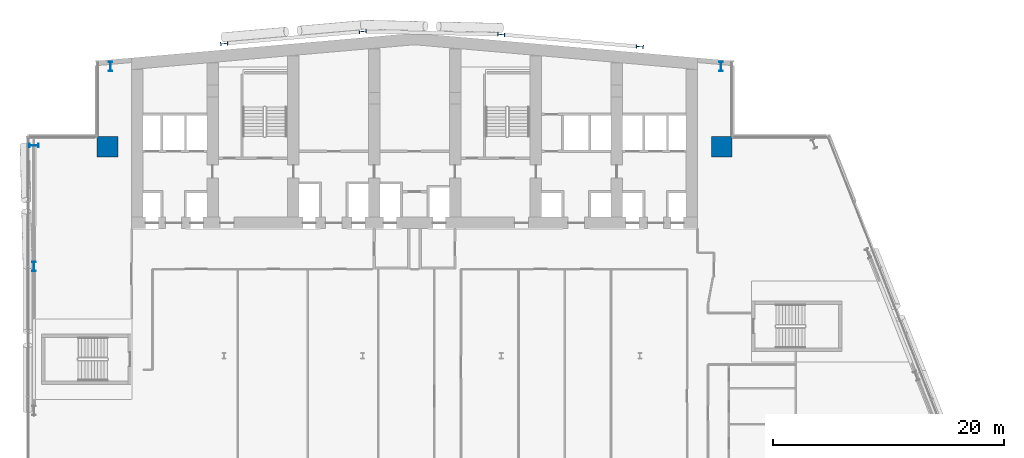
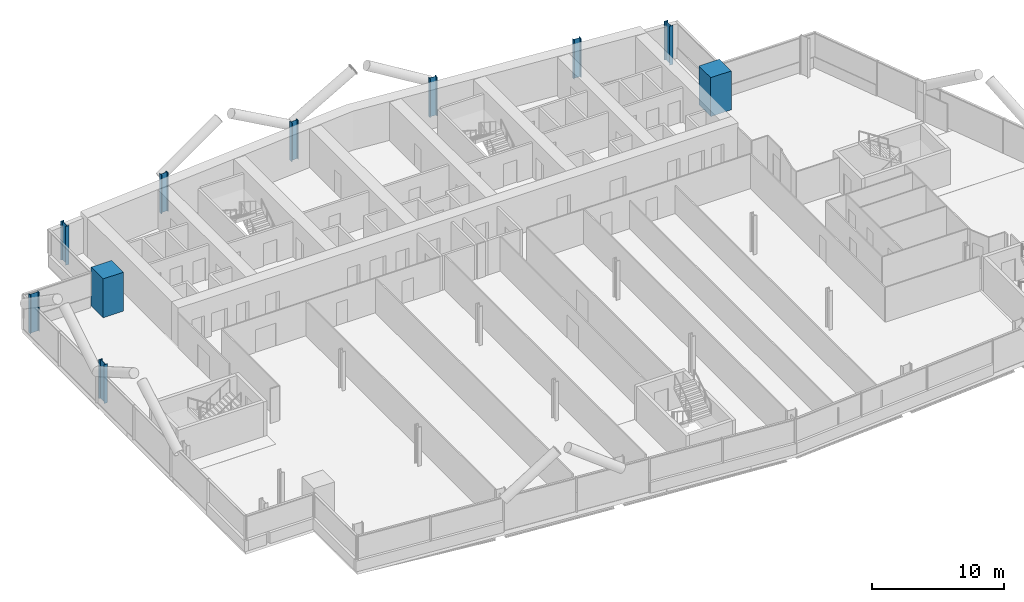
# One storey, part 3 of 25: 10 columns.
"""IFC4 building model written with IfcOpenShell, lengths in metres."""

from ifc_helpers import new_model, si_unit, direction, frame, origin, origin_2d, place, context, subcontext, project, spatial, rectangle, i_section, extrude, material, material_profile, profile_set, type_object, element, save


model = new_model("IFC4")

# Units and contexts
model_context = context("Model", 3, precision=1e-05, world=origin(), true_north=direction((0.0, 1.0)))
body_context = subcontext(model_context, "Body", "Model", "MODEL_VIEW")
ifc_project = project(units=[si_unit("LENGTHUNIT", "METRE"), si_unit("AREAUNIT", "SQUARE_METRE"), si_unit("VOLUMEUNIT", "CUBIC_METRE"), si_unit("PLANEANGLEUNIT", "RADIAN"), si_unit("MASSUNIT", "GRAM", prefix="KILO")], contexts=[model_context])

# Site, building, storey
site_placement = place(None, origin())
site = spatial("IfcSite", under=ifc_project, at=site_placement, CompositionType="ELEMENT")
building_placement = place(site_placement, origin())
building = spatial("IfcBuilding", under=site, at=building_placement, Name="Wharfspan Tower", CompositionType="ELEMENT")
storey_placement = place(building_placement, frame((0.0, 0.0, 121.899902)))
storey = spatial("IfcBuildingStorey", under=building, at=storey_placement, Name="L28", CompositionType="ELEMENT", Elevation=121.899902)

# Columns
ifc_material_1 = material(Name="Steel S355J2", Category="steel")
ifc_material_profile_1 = material_profile(ifc_material_1, i_section(OverallWidth=0.304932, OverallDepth=0.620117, WebThickness=0.020996, FlangeThickness=0.040039, FilletRadius=0.0271, at=origin_2d()))
ifc_profile_set_1 = profile_set([ifc_material_profile_1], Name="Steel S355J2")
column_type_1 = type_object("IfcColumnType", Name="Column HEM 600", PredefinedType="COLUMN", material=ifc_profile_set_1)
for number, where, z_axis, x_axis, name in (
    (1, (24.0, 50.027344, 0.0), (0.0, 0.0, 1.0), (-0.087156, 0.996198, 0.0), "Rear column R.1 L28"),
    (2, (36.0, 51.077148, 0.0), (0.0, 0.0, 1.0), (-0.087156, 0.996198, 0.0), "Rear column R.2 L28"),
    (3, (48.0, 50.814697, 0.0), (0.0, 0.0, 1.0), (0.087156, 0.996198, 0.0), "Rear column R.3 L28"),
    (4, (60.0, 49.764893, 0.0), (0.0, 0.0, 1.0), (0.087156, 0.996198, 0.0), "Rear column R.4 L28"),
):
    element("IfcColumn", number, at=place(storey_placement, frame(where, z_axis=z_axis, x_axis=x_axis)), inside=storey, type_object=column_type_1, Name=name, PredefinedType="COLUMN", context=body_context, shape_type="SweptSolid", body=[
        extrude(i_section(OverallWidth=0.304932, OverallDepth=0.620117, WebThickness=0.020996, FlangeThickness=0.040039, FilletRadius=0.0271, at=origin_2d()), origin(), (0.0, 0.0, 1.0), 3.600098),
    ])
ifc_material_profile_2 = material_profile(ifc_material_1, i_section(OverallWidth=0.302979, OverallDepth=0.813965, WebThickness=0.020996, FlangeThickness=0.040039, FilletRadius=0.030029, at=origin_2d()))
ifc_profile_set_2 = profile_set([ifc_material_profile_2], Name="Steel S355J2")
column_type_2 = type_object("IfcColumnType", Name="Column HEM 800", PredefinedType="COLUMN", material=ifc_profile_set_2)
for number, where, z_axis, x_axis, name in (
    (5, (67.031982, 48.035645, 0.0), (0.0, 0.0, 1.0), (1.0, 0.0, 0.0), "Perimeter column PNRE-V.1 L28"),
    (6, (14.171631, 48.03418, 0.0), (0.0, 0.0, 1.0), (-1.0, 0.0, 0.0), "Perimeter column PNRW-V.1 L28"),
    (7, (7.544434, 41.208008, 0.0), (0.0, 0.0, 1.0), (0.0, 1.0, 0.0), "Perimeter column PNRW-H.1 L28"),
    (8, (7.540039, 30.733398, 0.0), (0.0, 0.0, 1.0), (-1.0, 0.0, 0.0), "Perimeter column PW.1 L28"),
):
    element("IfcColumn", number, at=place(storey_placement, frame(where, z_axis=z_axis, x_axis=x_axis)), inside=storey, type_object=column_type_2, Name=name, PredefinedType="COLUMN", context=body_context, shape_type="SweptSolid", body=[
        extrude(i_section(OverallWidth=0.302979, OverallDepth=0.813965, WebThickness=0.020996, FlangeThickness=0.040039, FilletRadius=0.030029, at=origin_2d()), origin(), (0.0, 0.0, 1.0), 3.600098),
    ])
ifc_material_2 = material(Name="Concrete C70/85", Category="concrete")
ifc_material_profile_3 = material_profile(ifc_material_2, rectangle(XDim=1.800049, YDim=1.800049, at=origin_2d()))
ifc_profile_set_3 = profile_set([ifc_material_profile_3], Name="Concrete C70/85")
column_type_3 = type_object("IfcColumnType", Name="Mega column 1800 C70/85", PredefinedType="COLUMN", material=ifc_profile_set_3)
for number, where, z_axis, x_axis, name in (
    (9, (13.899902, 41.100098, 0.0), (0.0, 0.0, 1.0), (1.0, 0.0, 0.0), "Mega column MC2 L28"),
    (10, (67.100098, 41.100098, 0.0), (0.0, 0.0, 1.0), (1.0, 0.0, 0.0), "Mega column MC3 L28"),
):
    element("IfcColumn", number, at=place(storey_placement, frame(where, z_axis=z_axis, x_axis=x_axis)), inside=storey, type_object=column_type_3, Name=name, PredefinedType="COLUMN", context=body_context, shape_type="SweptSolid", body=[
        extrude(rectangle(XDim=1.800049, YDim=1.800049, at=origin_2d()), origin(), (0.0, 0.0, 1.0), 3.600098),
    ])

save(model, "model.ifc")
